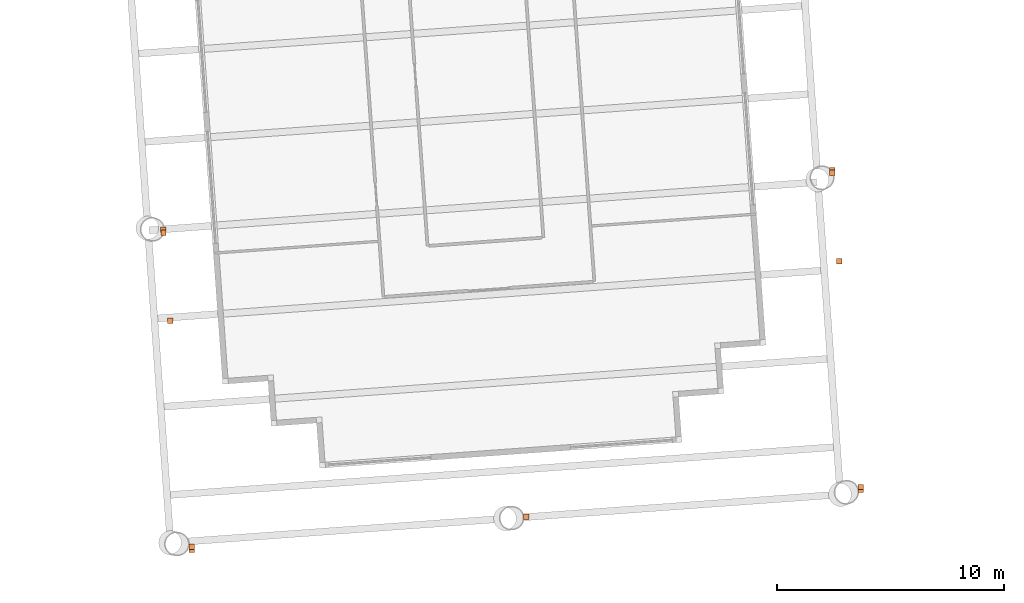
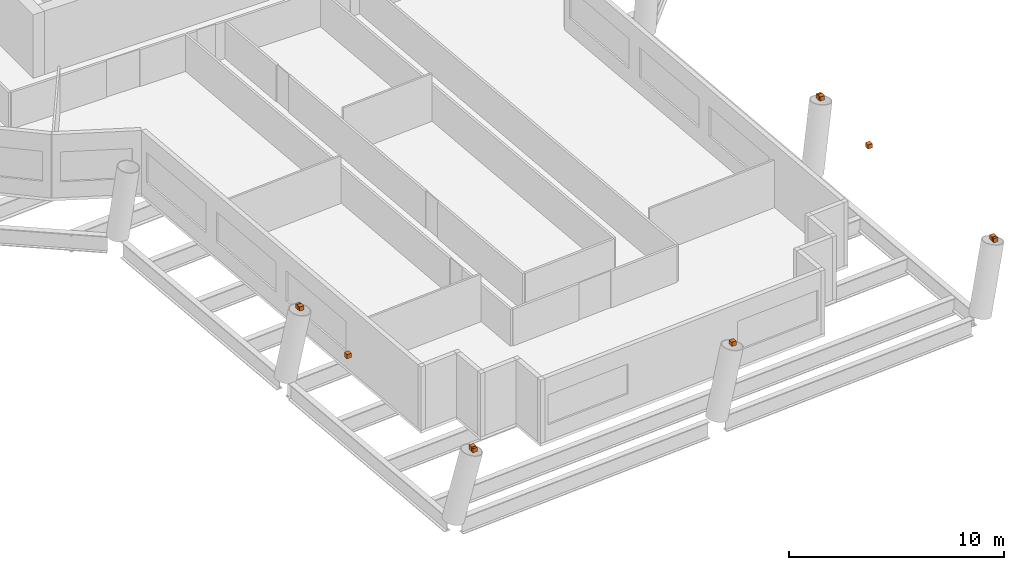
# One storey, part 11 of 11: 11 proxies.
"""IFC4 building model written with IfcOpenShell, lengths in metres."""

import ifcopenshell
import ifcopenshell.guid

model = None  # the IFC model being written
_history = None  # IfcOwnerHistory: only IFC2X3 demands one
_inside = {}  # id of a spatial element -> (the spatial element, [elements in it])
_under = {}  # id of a project, library or spatial element -> (it, [spatial elements below it])
_declared = {}  # id of a project -> (the project, [libraries it declares])
_typed = {}  # id of a type object -> (the type object, [elements of that type])
_made_of = {}  # id of a material, layer set ... -> (it, [elements and type objects made of it])


def new_model(schema):
    """Start an empty IFC model of exactly this schema.

    Asked for "IFC4X3", IfcOpenShell would pick the latest addendum, in which some entities
    have other attributes; the version numbers below select the first issue.
    IFC2X3 requires an IfcOwnerHistory on every rooted entity: one is made here for all.
    """
    global model, _history
    if schema == "IFC4X3":
        model = ifcopenshell.file(schema_version=(4, 3, 0, 0))
    else:
        model = ifcopenshell.file(schema=schema)
    _inside.clear()
    _under.clear()
    _declared.clear()
    _typed.clear()
    _made_of.clear()
    _history = None
    if model.schema == "IFC2X3":
        org = make("IfcOrganization", Name="unknown")
        user = make(
            "IfcPersonAndOrganization",
            ThePerson=make("IfcPerson", FamilyName="unknown"),
            TheOrganization=org,
        )
        app = make(
            "IfcApplication",
            ApplicationDeveloper=org,
            Version="unknown",
            ApplicationFullName="unknown",
            ApplicationIdentifier="unknown",
        )
        _history = make(
            "IfcOwnerHistory",
            OwningUser=user,
            OwningApplication=app,
            ChangeAction="ADDED",
            CreationDate=0,
        )
    return model


def make(cls, **values):
    """One entity of the class cls with the attributes given. An attribute that is None is left unset."""
    return model.create_entity(
        cls, **{name: value for name, value in values.items() if value is not None}
    )


def rooted(cls, **values):
    """An entity with a GlobalId (a new one), such as an element, a storey or a relation."""
    return make(cls, GlobalId=ifcopenshell.guid.new(), OwnerHistory=_history, **values)


def si_unit(unit_type, name, prefix=None):
    """IfcSIUnit, for example si_unit("LENGTHUNIT", "METRE", prefix="MILLI")."""
    return make("IfcSIUnit", UnitType=unit_type, Prefix=prefix, Name=name)


def assignment(units):
    """IfcUnitAssignment: the units of a project."""
    return None if units is None else make("IfcUnitAssignment", Units=units)


def point(xyz):
    """IfcCartesianPoint."""
    return None if xyz is None else make("IfcCartesianPoint", Coordinates=xyz)


def direction(xyz):
    """IfcDirection."""
    return None if xyz is None else make("IfcDirection", DirectionRatios=xyz)


def frame(location, z_axis=None, x_axis=None):
    """IfcAxis2Placement3D, a coordinate frame: its origin and axes. An axis left out is left unset."""
    return make(
        "IfcAxis2Placement3D",
        Location=point(location),
        Axis=direction(z_axis),
        RefDirection=direction(x_axis),
    )


def frame_2d(location, x_axis=None):
    """IfcAxis2Placement2D, a coordinate frame in the plane: its origin and x axis."""
    return make(
        "IfcAxis2Placement2D", Location=point(location), RefDirection=direction(x_axis)
    )


def origin():
    """The frame at (0, 0, 0) with its axes left unset."""
    return frame((0.0, 0.0, 0.0))


def origin_2d():
    """The frame at (0, 0) in the plane with its x axis left unset."""
    return frame_2d((0.0, 0.0))


def place(relative_to, where):
    """IfcLocalPlacement: puts the frame where relative to a parent placement (None: the world)."""
    return make(
        "IfcLocalPlacement", PlacementRelTo=relative_to, RelativePlacement=where
    )


def context(
    kind, dimensions, precision=None, world=None, true_north=None, identifier=None
):
    """IfcGeometricRepresentationContext, for example the 3D "Model" context."""
    return make(
        "IfcGeometricRepresentationContext",
        ContextIdentifier=identifier,
        ContextType=kind,
        CoordinateSpaceDimension=dimensions,
        Precision=precision,
        WorldCoordinateSystem=world,
        TrueNorth=true_north,
    )


def subcontext(parent, identifier, kind, view, scale=None):
    """IfcGeometricRepresentationSubContext, for example "Body" below "Model"."""
    return make(
        "IfcGeometricRepresentationSubContext",
        ContextIdentifier=identifier,
        ContextType=kind,
        ParentContext=parent,
        TargetScale=scale,
        TargetView=view,
    )


def project(units=None, contexts=None):
    """IfcProject with its units and contexts."""
    return rooted(
        "IfcProject",
        Name="project",
        RepresentationContexts=contexts,
        UnitsInContext=assignment(units),
    )


def spatial(cls, under=None, at=None, **own):
    """A site, building, storey or space (cls), placed at a placement, below another one or the project."""
    s = rooted(cls, ObjectPlacement=at, **own)
    if under is not None:
        _under.setdefault(under.id(), (under, []))[1].append(s)
    return s


def profile(cls, at=None, kind="AREA", **sizes):
    """A parametric profile (cls). Its sizes go by their IFC names, for example OverallWidth=200.0."""
    return make(cls, ProfileType=kind, Position=at, **sizes)


def rectangle(**sizes):
    """IfcRectangleProfileDef."""
    return profile("IfcRectangleProfileDef", **sizes)


def extrude(swept, where, along, depth):
    """IfcExtrudedAreaSolid: the profile swept, set in the frame where, extruded along a direction by depth."""
    return make(
        "IfcExtrudedAreaSolid",
        SweptArea=swept,
        Position=where,
        ExtrudedDirection=direction(along),
        Depth=depth,
    )


def shape(context_of_items, identifier, shape_type, items):
    """IfcShapeRepresentation: the items that make up one representation, for example the "Body"."""
    return make(
        "IfcShapeRepresentation",
        ContextOfItems=context_of_items,
        RepresentationIdentifier=identifier,
        RepresentationType=shape_type,
        Items=items,
    )


def material(Name=None, Category=None):
    """IfcMaterial."""
    return make("IfcMaterial", Name=Name, Category=Category)


def made_of(thing, what):
    """Note that an element or type object is made of a material, layer set ...; save() writes the relation."""
    if what is not None:
        _made_of.setdefault(what.id(), (what, []))[1].append(thing)
    return thing


def type_object(cls, material=None, **own):
    """A type object (cls), such as IfcWallType, which elements share."""
    return made_of(rooted(cls, **own), material)


def element(
    cls,
    number,
    at=None,
    inside=None,
    cuts=None,
    type_object=None,
    material=None,
    context=None,
    identifier="Body",
    shape_type=None,
    held_by="IfcProductDefinitionShape",
    body=None,
    shapes=None,
    **own,
):
    """One element of the class cls, such as IfcWall. Its Tag is "e" and its number.

    at: its placement. inside: the storey or other place that contains it. cuts: it is an
    opening in that element (IfcRelVoidsElement). A single representation is given by context,
    identifier, shape_type and body (its items); several are given by shapes. held_by: the class
    of the entity that holds the representations. save() writes the other relations.
    """
    e = rooted(cls, Tag="e%d" % number, ObjectPlacement=at, **own)
    if body is not None:
        shapes = [shape(context, identifier, shape_type, body)]
    if shapes is not None:
        e.Representation = make(held_by, Representations=shapes)
    if inside is not None:
        _inside.setdefault(inside.id(), (inside, []))[1].append(e)
    if cuts is not None:
        rooted(
            "IfcRelVoidsElement", RelatingBuildingElement=cuts, RelatedOpeningElement=e
        )
    if type_object is not None:
        _typed.setdefault(type_object.id(), (type_object, []))[1].append(e)
    return made_of(e, material)


def aggregate(whole, parts):
    """IfcRelAggregates: a whole, such as a stair, and the parts it consists of."""
    return rooted("IfcRelAggregates", RelatingObject=whole, RelatedObjects=parts)


def save(model, path):
    """Write the relations noted so far, then the file.

    IfcRelAggregates (storeys below a building ...), IfcRelContainedInSpatialStructure (elements
    in a storey), IfcRelDefinesByType, IfcRelAssociatesMaterial and IfcRelDeclares: one each for
    every whole, place, type object, material and project.
    """
    for whole, parts in _under.values():
        aggregate(whole, parts)
    for where, things in _inside.values():
        rooted(
            "IfcRelContainedInSpatialStructure",
            RelatedElements=things,
            RelatingStructure=where,
        )
    for kind, things in _typed.values():
        rooted("IfcRelDefinesByType", RelatedObjects=things, RelatingType=kind)
    for what, things in _made_of.values():
        rooted("IfcRelAssociatesMaterial", RelatedObjects=things, RelatingMaterial=what)
    for by, libraries in _declared.values():
        rooted("IfcRelDeclares", RelatingContext=by, RelatedDefinitions=libraries)
    model.write(path)


model = new_model("IFC4")

# Units and contexts
model_context = context("Model", 3, precision=1e-05, world=origin(), true_north=direction((0.0, 1.0)))
body_context = subcontext(model_context, "Body", "Model", "MODEL_VIEW")
ifc_project = project(units=[si_unit("LENGTHUNIT", "METRE"), si_unit("AREAUNIT", "SQUARE_METRE"), si_unit("VOLUMEUNIT", "CUBIC_METRE"), si_unit("PLANEANGLEUNIT", "RADIAN"), si_unit("MASSUNIT", "GRAM", prefix="KILO")], contexts=[model_context])

# Site, building, storey
site_placement = place(None, origin())
site = spatial("IfcSite", under=ifc_project, at=site_placement, CompositionType="ELEMENT")
building_placement = place(site_placement, origin())
building = spatial("IfcBuilding", under=site, at=building_placement, Name="Tarsis Ring Headquarters", CompositionType="ELEMENT")
storey_placement = place(building_placement, frame((0.0, 0.0, 243.300048828125)))
storey = spatial("IfcBuildingStorey", under=building, at=storey_placement, Name="L57", CompositionType="ELEMENT", Elevation=243.300048828125)

# Proxies
ifc_material = material(Name="Structural steel S355", Category="steel")
building_element_proxy_type = type_object("IfcBuildingElementProxyType", Name="End cap", PredefinedType="USERDEFINED", material=ifc_material)
for number, where, z_axis, x_axis, name in (
    (1, (-10.03271484375, -54.031005859375, 3.73974609375), (0.0, 0.0, 1.0), (1.0, 0.0, 0.0), "End cap L56-EC-X3a"),
    (2, (-11.284423828125, -39.9375, 3.73876953125), (0.0, 0.0, 1.0), (1.0, 0.0, 0.0), "End cap L56-EC-X3b"),
    (3, (18.197021484375, -37.310546875, 3.72998046875), (0.0, 0.0, 1.0), (1.0, 0.0, 0.0), "End cap L56-EC-X6a"),
    (4, (19.452392578125, -51.402099609375, 3.74853515625), (0.0, 0.0, 1.0), (1.0, 0.0, 0.0), "End cap L56-EC-X6b"),
    (5, (-11.275634765625, -40.0615234375, 3.74560546875), (0.0, 0.0, 1.0), (1.0, 0.0, 0.0), "End cap L57-EC-3"),
    (6, (-10.035888671875, -53.90869140625, 3.7509765625), (0.0, 0.0, 1.0), (1.0, 0.0, 0.0), "End cap L57-EC-4"),
    (7, (4.704345703125, -52.58984375, 3.74755859375), (0.0, 0.0, 1.0), (1.0, 0.0, 0.0), "End cap L57-EC-5"),
    (8, (19.447021484375, -51.270751953125, 3.75390625), (0.0, 0.0, 1.0), (1.0, 0.0, 0.0), "End cap L57-EC-6"),
    (9, (18.206787109375, -37.42431640625, 3.74755859375), (0.0, 0.0, 1.0), (1.0, 0.0, 0.0), "End cap L57-EC-7"),
    (10, (-10.96875, -43.938720703125, 3.287109375), (0.0, 0.0, 1.0), (1.0, 0.0, 0.0), "End cap L58-EC-B4"),
    (11, (18.51611328125, -41.328857421875, 3.28564453125), (0.0, 0.0, 1.0), (1.0, 0.0, 0.0), "End cap L58-EC-B6"),
):
    element("IfcBuildingElementProxy", number, at=place(storey_placement, frame(where, z_axis=z_axis, x_axis=x_axis)), inside=storey, type_object=building_element_proxy_type, Name=name, ObjectType="End cap", PredefinedType="USERDEFINED", context=body_context, shape_type="SweptSolid", body=[
        extrude(rectangle(XDim=0.239990234375, YDim=0.239990234375, at=origin_2d()), origin(), (0.0, 0.0, 1.0), 0.239990234375),
    ])

save(model, "model.ifc")
